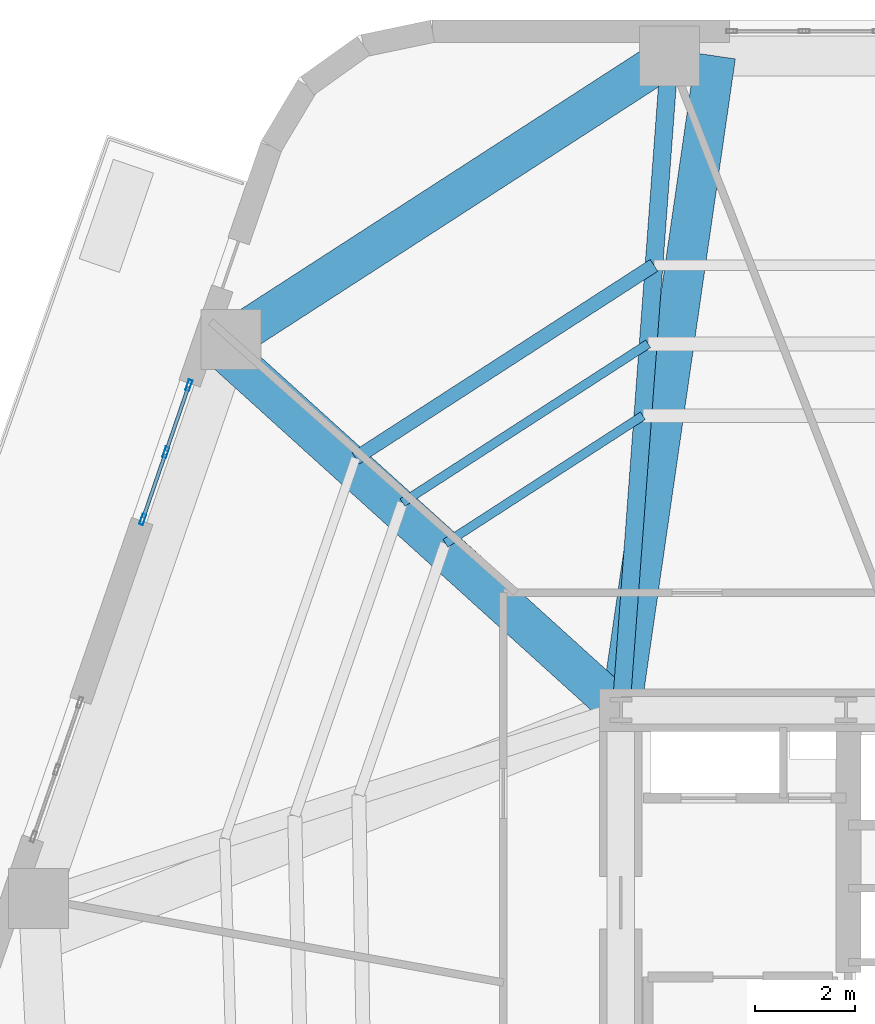
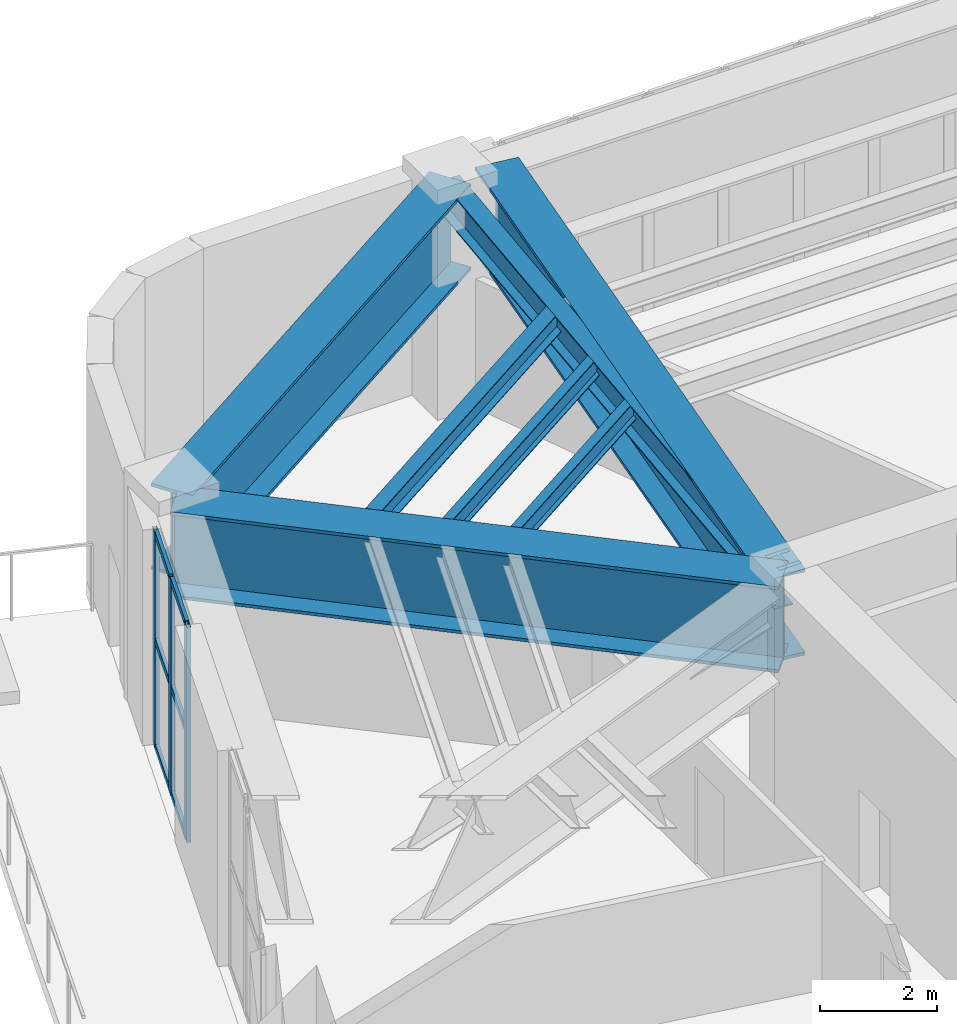
# One storey, part 11 of 22: 9 members, 7 beams, 1 element without a shape of its own.
"""IFC4 building model written with IfcOpenShell, lengths in metres."""

from ifc_helpers import new_model, si_unit, direction, frame, origin, origin_2d, place, context, subcontext, project, spatial, hollow_rectangle, i_section, extrude, material, layer, layer_set, material_profile, profile_set, type_object, element, aggregate, save


model = new_model("IFC4")

# Units and contexts
model_context = context("Model", 3, precision=1e-05, world=origin(), true_north=direction((0.0, 1.0)))
body_context = subcontext(model_context, "Body", "Model", "MODEL_VIEW")
ifc_project = project(units=[si_unit("LENGTHUNIT", "METRE"), si_unit("AREAUNIT", "SQUARE_METRE"), si_unit("VOLUMEUNIT", "CUBIC_METRE"), si_unit("PLANEANGLEUNIT", "RADIAN"), si_unit("MASSUNIT", "GRAM", prefix="KILO")], contexts=[model_context])

# Site, building, storey
site_placement = place(None, origin())
site = spatial("IfcSite", under=ifc_project, at=site_placement, CompositionType="ELEMENT")
building_placement = place(site_placement, origin())
building = spatial("IfcBuilding", under=site, at=building_placement, Name="Kilnhurst Terrace Hotel", CompositionType="ELEMENT")
storey_placement = place(building_placement, frame((0.0, 0.0, 139.5)))
storey = spatial("IfcBuildingStorey", under=building, at=storey_placement, Name="L34", CompositionType="ELEMENT", Elevation=139.5)

# Beams
ifc_material_1 = material(Name="Steel ASTM A992 Grade 50", Category="steel")
ifc_material_profile_1 = material_profile(ifc_material_1, i_section(OverallWidth=0.354736328125, OverallDepth=0.695556640625, WebThickness=0.015380859375, FlangeThickness=0.025146484375, at=origin_2d()), Name="W27X146")
ifc_profile_set_1 = profile_set([ifc_material_profile_1], Name="Steel ASTM A992 Grade 50")
beam_type_1 = type_object("IfcBeamType", Name="BM-STL-W27X146", PredefinedType="BEAM", material=ifc_profile_set_1)
beam_1_placement = place(storey_placement, frame((-9.0, 7.5, 4.152099609375), z_axis=(0.074101371747, 0.997250714066, 0.0), x_axis=(-0.997250714066, 0.074101371747, 0.0)))
element("IfcBeam", 1, at=beam_1_placement, inside=storey, type_object=beam_type_1, Name="L34 Radial Floor Beam 8", PredefinedType="BEAM", context=body_context, shape_type="SweptSolid", body=[
    extrude(i_section(OverallWidth=0.354736328125, OverallDepth=0.695556640625, WebThickness=0.015380859375, FlangeThickness=0.025146484375, at=origin_2d()), origin(), (0.0, 0.0, 1.0), 13.1162109375),
])
ifc_material_profile_2 = material_profile(ifc_material_1, i_section(OverallWidth=0.180908203125, OverallDepth=0.417236328125, WebThickness=0.010986328125, FlangeThickness=0.018310546875, at=origin_2d()), Name="W16X57")
ifc_profile_set_2 = profile_set([ifc_material_profile_2], Name="Steel ASTM A992 Grade 50")
beam_type_2 = type_object("IfcBeamType", Name="JST-STL-W16X57", PredefinedType="JOIST", material=ifc_profile_set_2)
beam_2_placement = place(storey_placement, frame((-8.5625, 13.385986328125, 4.291015625), z_axis=(-0.839884974974, -0.542764432155, 0.0), x_axis=(0.542764432155, -0.839884974974, 0.0)))
element("IfcBeam", 2, at=beam_2_placement, inside=storey, type_object=beam_type_2, Name="L34 Secondary Floor Steel Joist IN.8", PredefinedType="JOIST", context=body_context, shape_type="SweptSolid", body=[
    extrude(i_section(OverallWidth=0.180908203125, OverallDepth=0.417236328125, WebThickness=0.010986328125, FlangeThickness=0.018310546875, at=origin_2d()), origin(), (0.0, 0.0, 1.0), 4.699951171875),
])
beam_3_placement = place(storey_placement, frame((-8.455810546875, 14.82470703125, 4.291015625), z_axis=(-0.839871291105, -0.542785606274, 0.0), x_axis=(0.542785606274, -0.839871291105, 0.0)))
element("IfcBeam", 3, at=beam_3_placement, inside=storey, type_object=beam_type_2, Name="L34 Secondary Floor Steel Joist MID.8", PredefinedType="JOIST", context=body_context, shape_type="SweptSolid", body=[
    extrude(i_section(OverallWidth=0.180908203125, OverallDepth=0.417236328125, WebThickness=0.010986328125, FlangeThickness=0.018310546875, at=origin_2d()), origin(), (0.0, 0.0, 1.0), 5.8486328125),
])
ifc_material_profile_3 = material_profile(ifc_material_1, i_section(OverallWidth=0.279296875, OverallDepth=0.462890625, WebThickness=0.0107421875, FlangeThickness=0.017333984375, at=origin_2d()), Name="W18X76")
ifc_profile_set_3 = profile_set([ifc_material_profile_3], Name="Steel ASTM A992 Grade 50")
beam_type_3 = type_object("IfcBeamType", Name="JST-STL-W18X76", PredefinedType="JOIST", material=ifc_profile_set_3)
beam_4_placement = place(storey_placement, frame((-8.339111328125, 16.394287109375, 4.26806640625), z_axis=(-0.839882675086, -0.542767991034, 0.0), x_axis=(0.542767991034, -0.839882675086, 0.0)))
element("IfcBeam", 4, at=beam_4_placement, inside=storey, type_object=beam_type_3, Name="L34 Secondary Floor Steel Joist OUT.8", PredefinedType="JOIST", context=body_context, shape_type="SweptSolid", body=[
    extrude(i_section(OverallWidth=0.279296875, OverallDepth=0.462890625, WebThickness=0.0107421875, FlangeThickness=0.017333984375, at=origin_2d()), origin(), (0.0, 0.0, 1.0), 7.10205078125),
])

# Curtain wall, members
ifc_material_2 = material(Name="Anodized Aluminium Alloy 6063-T6 and Low-E Glass", Category="aluminium")
ifc_layer = layer(ifc_material_2, 0.219970703125, Name="Anodized Aluminium Alloy 6063-T6 and Low-E Glass")
ifc_layer_set = layer_set([ifc_layer], Name="Anodized Aluminium Alloy 6063-T6 and Low-E Glass")
curtain_wall_type = type_object("IfcCurtainWallType", Name="CW-SKY-L34", PredefinedType="NOTDEFINED", material=ifc_layer_set)
curtain_wall_placement = place(storey_placement, origin())
curtain_wall = element("IfcCurtainWall", 5, at=curtain_wall_placement, inside=storey, type_object=curtain_wall_type, Name="L34 Curtain Wall CW-L34-F5-1", PredefinedType="NOTDEFINED")
ifc_material_3 = material(Name="Extruded Aluminium Alloy 6063-T6", Category="aluminium")
ifc_material_profile_4 = material_profile(ifc_material_3, hollow_rectangle(XDim=0.074951171875, YDim=0.219970703125, WallThickness=0.00390625, at=origin_2d()), Name="CWM75X220")
ifc_profile_set_4 = profile_set([ifc_material_profile_4], Name="Extruded Aluminium Alloy 6063-T6")
member_type_1 = type_object("IfcMemberType", Name="MEM-CWM75X220", PredefinedType="MULLION", material=ifc_profile_set_4)
member_1_placement = place(storey_placement, frame((-17.638671875, 13.996826171875, 0.0), z_axis=(0.0, 0.0, 1.0), x_axis=(0.94551193854, -0.32558742924, 0.0)))
member_1 = element("IfcMember", 6, at=member_1_placement, type_object=member_type_1, Name="CWS-3 mullion 1", PredefinedType="MULLION", context=body_context, shape_type="SweptSolid", body=[
    extrude(hollow_rectangle(XDim=0.074951171875, YDim=0.219970703125, WallThickness=0.00390625, at=origin_2d()), origin(), (0.0, 0.0, 1.0), 4.5),
])
member_2_placement = place(storey_placement, frame((-18.100341796875, 12.65576171875, 0.0), z_axis=(0.0, 0.0, 1.0), x_axis=(0.94551193854, -0.32558742924, 0.0)))
member_2 = element("IfcMember", 7, at=member_2_placement, type_object=member_type_1, Name="CWS-3 mullion 2", PredefinedType="MULLION", context=body_context, shape_type="SweptSolid", body=[
    extrude(hollow_rectangle(XDim=0.074951171875, YDim=0.219970703125, WallThickness=0.00390625, at=origin_2d()), origin(), (0.0, 0.0, 1.0), 4.5),
])
member_3_placement = place(storey_placement, frame((-18.562255859375, 11.314453125, 0.0), z_axis=(0.0, 0.0, 1.0), x_axis=(0.94551193854, -0.32558742924, 0.0)))
member_3 = element("IfcMember", 8, at=member_3_placement, type_object=member_type_1, Name="CWS-3 mullion 3", PredefinedType="MULLION", context=body_context, shape_type="SweptSolid", body=[
    extrude(hollow_rectangle(XDim=0.074951171875, YDim=0.219970703125, WallThickness=0.00390625, at=origin_2d()), origin(), (0.0, 0.0, 1.0), 4.5),
])
ifc_material_profile_5 = material_profile(ifc_material_3, hollow_rectangle(XDim=0.070068359375, YDim=0.135009765625, WallThickness=0.00390625, at=origin_2d()), Name="CWT70X135")
ifc_profile_set_5 = profile_set([ifc_material_profile_5], Name="Extruded Aluminium Alloy 6063-T6")
member_type_2 = type_object("IfcMemberType", Name="MEM-CWT70X135", PredefinedType="USERDEFINED", material=ifc_profile_set_5)
member_4_placement = place(storey_placement, frame((-17.65087890625, 13.96142578125, 0.034912109375), z_axis=(-0.325480976836, -0.945548588766, 0.0), x_axis=(0.945548588766, -0.325480976836, 0.0)))
member_4 = element("IfcMember", 9, at=member_4_placement, type_object=member_type_2, Name="CWS-3 transom 1.1", ObjectType="TRANSOM", PredefinedType="USERDEFINED", context=body_context, shape_type="SweptSolid", body=[
    extrude(hollow_rectangle(XDim=0.070068359375, YDim=0.135009765625, WallThickness=0.00390625, at=origin_2d()), origin(), (0.0, 0.0, 1.0), 1.343505859375),
])
member_5_placement = place(storey_placement, frame((-17.65087890625, 13.96142578125, 2.25), z_axis=(-0.325480976836, -0.945548588766, 0.0), x_axis=(0.945548588766, -0.325480976836, 0.0)))
member_5 = element("IfcMember", 10, at=member_5_placement, type_object=member_type_2, Name="CWS-3 transom 1.2", ObjectType="TRANSOM", PredefinedType="USERDEFINED", context=body_context, shape_type="SweptSolid", body=[
    extrude(hollow_rectangle(XDim=0.070068359375, YDim=0.135009765625, WallThickness=0.00390625, at=origin_2d()), origin(), (0.0, 0.0, 1.0), 1.343505859375),
])
member_6_placement = place(storey_placement, frame((-17.65087890625, 13.96142578125, 4.465087890625), z_axis=(-0.325480976836, -0.945548588766, 0.0), x_axis=(0.945548588766, -0.325480976836, 0.0)))
member_6 = element("IfcMember", 11, at=member_6_placement, type_object=member_type_2, Name="CWS-3 transom 1.3", ObjectType="TRANSOM", PredefinedType="USERDEFINED", context=body_context, shape_type="SweptSolid", body=[
    extrude(hollow_rectangle(XDim=0.070068359375, YDim=0.135009765625, WallThickness=0.00390625, at=origin_2d()), origin(), (0.0, 0.0, 1.0), 1.343505859375),
])
member_7_placement = place(storey_placement, frame((-18.112548828125, 12.6201171875, 0.034912109375), z_axis=(-0.325643441602, -0.945492648804, 0.0), x_axis=(0.945492648804, -0.325643441602, 0.0)))
member_7 = element("IfcMember", 12, at=member_7_placement, type_object=member_type_2, Name="CWS-3 transom 2.1", ObjectType="TRANSOM", PredefinedType="USERDEFINED", context=body_context, shape_type="SweptSolid", body=[
    extrude(hollow_rectangle(XDim=0.070068359375, YDim=0.135009765625, WallThickness=0.00390625, at=origin_2d()), origin(), (0.0, 0.0, 1.0), 1.343505859375),
])
member_8_placement = place(storey_placement, frame((-18.112548828125, 12.6201171875, 2.25), z_axis=(-0.325643441602, -0.945492648804, 0.0), x_axis=(0.945492648804, -0.325643441602, 0.0)))
member_8 = element("IfcMember", 13, at=member_8_placement, type_object=member_type_2, Name="CWS-3 transom 2.2", ObjectType="TRANSOM", PredefinedType="USERDEFINED", context=body_context, shape_type="SweptSolid", body=[
    extrude(hollow_rectangle(XDim=0.070068359375, YDim=0.135009765625, WallThickness=0.00390625, at=origin_2d()), origin(), (0.0, 0.0, 1.0), 1.343505859375),
])
member_9_placement = place(storey_placement, frame((-18.112548828125, 12.6201171875, 4.465087890625), z_axis=(-0.325643441602, -0.945492648804, 0.0), x_axis=(0.945492648804, -0.325643441602, 0.0)))
member_9 = element("IfcMember", 14, at=member_9_placement, type_object=member_type_2, Name="CWS-3 transom 2.3", ObjectType="TRANSOM", PredefinedType="USERDEFINED", context=body_context, shape_type="SweptSolid", body=[
    extrude(hollow_rectangle(XDim=0.070068359375, YDim=0.135009765625, WallThickness=0.00390625, at=origin_2d()), origin(), (0.0, 0.0, 1.0), 1.343505859375),
])
aggregate(curtain_wall, [member_1, member_2, member_3, member_4, member_5, member_6, member_7, member_8, member_9])

# Beams
ifc_material_4 = material(Name="Steel ASTM A572 Grade 50", Category="steel")
ifc_material_profile_6 = material_profile(ifc_material_4, i_section(OverallWidth=0.800048828125, OverallDepth=1.800048828125, WebThickness=0.0400390625, FlangeThickness=0.06494140625, at=origin_2d()), Name="PG1800X800")
ifc_profile_set_6 = profile_set([ifc_material_profile_6], Name="Steel ASTM A572 Grade 50")
beam_type_4 = type_object("IfcBeamType", Name="TG-STEP-1800", PredefinedType="USERDEFINED", material=ifc_profile_set_6)
beam_5_placement = place(storey_placement, frame((-8.028076171875, 20.580078125, 3.60009765625), z_axis=(-0.839866667472, -0.542792760517, 0.0), x_axis=(0.542792760517, -0.839866667472, 0.0)))
element("IfcBeam", 15, at=beam_5_placement, inside=storey, type_object=beam_type_4, Name="L34 Zone Step Perimeter Transfer Girder 8", ObjectType="GIRDER", PredefinedType="USERDEFINED", context=body_context, shape_type="SweptSolid", body=[
    extrude(i_section(OverallWidth=0.800048828125, OverallDepth=1.800048828125, WebThickness=0.0400390625, FlangeThickness=0.06494140625, at=origin_2d()), origin(), (0.0, 0.0, 1.0), 10.444580078125),
])
beam_6_placement = place(storey_placement, frame((-9.0, 7.5, 3.60009765625), z_axis=(0.143109947588, 0.989706796431, 0.0), x_axis=(-0.989706796431, 0.143109947588, 0.0)))
element("IfcBeam", 16, at=beam_6_placement, inside=storey, type_object=beam_type_4, Name="L34 Zone Step Radial Transfer Girder 8", ObjectType="GIRDER", PredefinedType="USERDEFINED", context=body_context, shape_type="SweptSolid", body=[
    extrude(i_section(OverallWidth=0.800048828125, OverallDepth=1.800048828125, WebThickness=0.0400390625, FlangeThickness=0.06494140625, at=origin_2d()), origin(), (0.0, 0.0, 1.0), 13.216064453125),
])
beam_7_placement = place(storey_placement, frame((-9.0, 7.5, 3.60009765625), z_axis=(-0.741324930936, 0.671146293123, 0.0), x_axis=(-0.671146293123, -0.741324930936, 0.0)))
element("IfcBeam", 17, at=beam_7_placement, inside=storey, type_object=beam_type_4, Name="L34 Zone Step Radial Transfer Girder 9", ObjectType="GIRDER", PredefinedType="USERDEFINED", context=body_context, shape_type="SweptSolid", body=[
    extrude(i_section(OverallWidth=0.800048828125, OverallDepth=1.800048828125, WebThickness=0.0400390625, FlangeThickness=0.06494140625, at=origin_2d()), origin(), (0.0, 0.0, 1.0), 10.645263671875),
])

save(model, "model.ifc")
